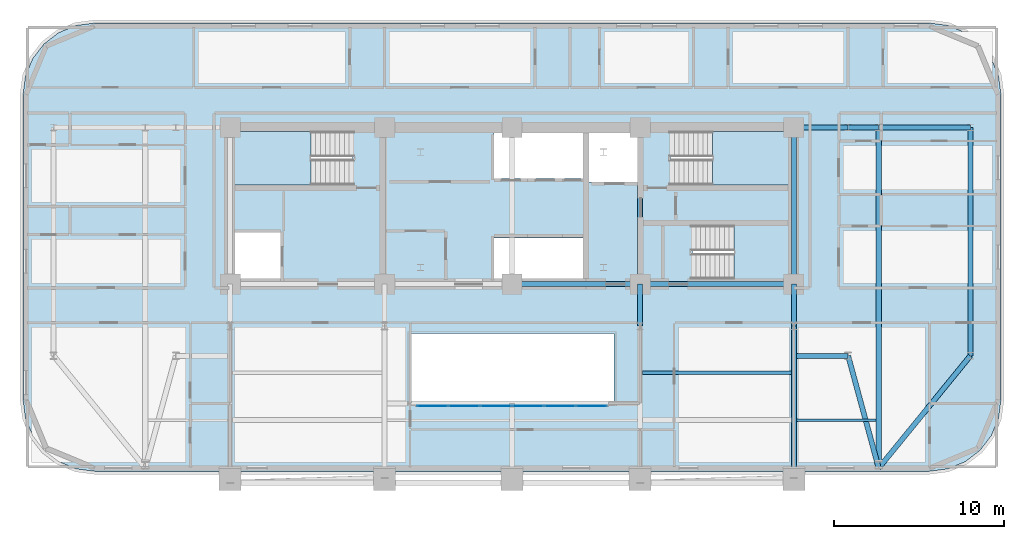
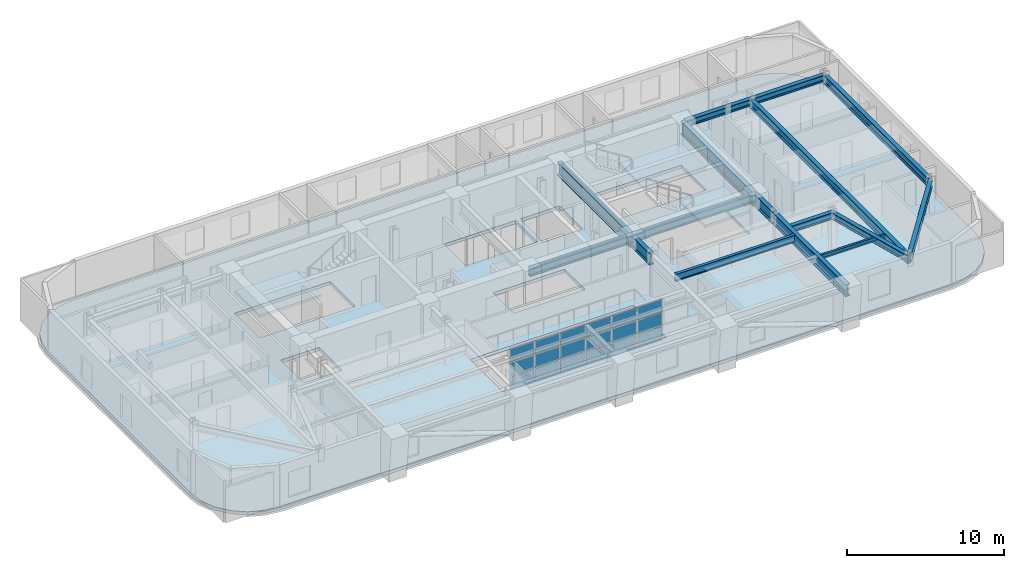
# One storey, part 5 of 14: 18 plates, 17 beams, 4 slabs, 4 elements without a shape of their own.
"""IFC4 building model written with IfcOpenShell, lengths in metres."""

from ifc_helpers import new_model, si_unit, direction, frame, origin, origin_2d, place, context, subcontext, project, spatial, polyline, rectangle, i_section, outline, extrude, material, layer, layer_set, material_profile, profile_set, type_object, element, aggregate, save


model = new_model("IFC4")

# Units and contexts
model_context = context("Model", 3, precision=1e-05, world=origin(), true_north=direction((0.0, 1.0)))
body_context = subcontext(model_context, "Body", "Model", "MODEL_VIEW")
ifc_project = project(units=[si_unit("LENGTHUNIT", "METRE"), si_unit("AREAUNIT", "SQUARE_METRE"), si_unit("VOLUMEUNIT", "CUBIC_METRE"), si_unit("PLANEANGLEUNIT", "RADIAN"), si_unit("MASSUNIT", "GRAM", prefix="KILO")], contexts=[model_context])

# Site, building, storey
site_placement = place(None, origin())
site = spatial("IfcSite", under=ifc_project, at=site_placement, CompositionType="ELEMENT")
building_placement = place(site_placement, origin())
building = spatial("IfcBuilding", under=site, at=building_placement, Name="Zarnavel Station Tower", CompositionType="ELEMENT")
storey_placement = place(building_placement, frame((0.0, 0.0, 108.300048828125)))
storey = spatial("IfcBuildingStorey", under=building, at=storey_placement, Name="L29", CompositionType="ELEMENT", Elevation=108.300048828125)

# Beams
ifc_material_1 = material(Name="Steel S355J2", Category="steel")
ifc_material_profile_1 = material_profile(ifc_material_1, i_section(OverallWidth=0.2099609375, OverallDepth=0.550048828125, WebThickness=0.010986328125, FlangeThickness=0.01708984375, FilletRadius=0.02392578125, at=origin_2d()), Name="IPE550")
ifc_profile_set_1 = profile_set([ifc_material_profile_1], Name="Steel S355J2")
beam_type_1 = type_object("IfcBeamType", Name="FB_IPE550", PredefinedType="BEAM", material=ifc_profile_set_1)
beam_1_placement = place(storey_placement, frame((36.4951171875, 22.606689453125, 2.96484375), z_axis=(1.0, 0.0, 0.0), x_axis=(0.0, 1.0, 0.0)))
element("IfcBeam", 1, at=beam_1_placement, inside=storey, type_object=beam_type_1, Name="L29 East Bay Beam 2", PredefinedType="BEAM", context=body_context, shape_type="SweptSolid", body=[
    extrude(i_section(OverallWidth=0.2099609375, OverallDepth=0.550048828125, WebThickness=0.010986328125, FlangeThickness=0.01708984375, FilletRadius=0.02392578125, at=origin_2d()), origin(), (0.0, 0.0, 1.0), 8.759765625),
])
ifc_material_2 = material(Name="Steel S355J2", Category="steel")
ifc_material_profile_2 = material_profile(ifc_material_2, i_section(OverallWidth=0.300048828125, OverallDepth=0.5, WebThickness=0.014404296875, FlangeThickness=0.028076171875, FilletRadius=0.027099609375, at=origin_2d()), Name="HEB500")
ifc_profile_set_2 = profile_set([ifc_material_profile_2], Name="Steel S355J2")
beam_type_2 = type_object("IfcBeamType", Name="FG_HEB500", PredefinedType="USERDEFINED", material=ifc_profile_set_2)
for number, where, z_axis, x_axis, name in (
    (2, (45.544921875, 23.60009765625, 2.989990234375), (1.0, 0.0, 0.0), (0.0, 1.0, 0.0), "L29 East Wing South Tie 1"),
    (3, (45.544921875, 37.050048828125, 2.989990234375), (1.0, 0.0, 0.0), (0.0, 1.0, 0.0), "L29 East Wing North Tie 1"),
):
    element("IfcBeam", number, at=place(storey_placement, frame(where, z_axis=z_axis, x_axis=x_axis)), inside=storey, type_object=beam_type_2, Name=name, ObjectType="GIRDER", PredefinedType="USERDEFINED", context=body_context, shape_type="SweptSolid", body=[
        extrude(i_section(OverallWidth=0.300048828125, OverallDepth=0.5, WebThickness=0.014404296875, FlangeThickness=0.028076171875, FilletRadius=0.027099609375, at=origin_2d()), origin(), (0.0, 0.0, 1.0), 3.05517578125),
    ])
beam_2_placement = place(storey_placement, frame((48.60009765625, 23.60009765625, 2.989990234375), z_axis=(0.262517735495, -0.964927167485, 0.0), x_axis=(0.964927167485, 0.262517735495, 0.0)))
element("IfcBeam", 4, at=beam_2_placement, inside=storey, type_object=beam_type_2, Name="L29 East Wing South Tie 2", ObjectType="GIRDER", PredefinedType="USERDEFINED", context=body_context, shape_type="SweptSolid", body=[
    extrude(i_section(OverallWidth=0.300048828125, OverallDepth=0.5, WebThickness=0.014404296875, FlangeThickness=0.028076171875, FilletRadius=0.027099609375, at=origin_2d()), origin(), (0.0, 0.0, 1.0), 6.85595703125),
])
beam_3_placement = place(storey_placement, frame((48.60009765625, 37.050048828125, 2.989990234375), z_axis=(1.0, 0.0, 0.0), x_axis=(0.0, 1.0, 0.0)))
element("IfcBeam", 5, at=beam_3_placement, inside=storey, type_object=beam_type_2, Name="L29 East Wing North Tie 2", ObjectType="GIRDER", PredefinedType="USERDEFINED", context=body_context, shape_type="SweptSolid", body=[
    extrude(i_section(OverallWidth=0.300048828125, OverallDepth=0.5, WebThickness=0.014404296875, FlangeThickness=0.028076171875, FilletRadius=0.027099609375, at=origin_2d()), origin(), (0.0, 0.0, 1.0), 1.7998046875),
])
beam_4_placement = place(storey_placement, frame((50.39990234375, 16.984619140625, 2.989990234375), z_axis=(0.63235933352, 0.774675205044, 0.0), x_axis=(-0.774675205044, 0.63235933352, 0.0)))
element("IfcBeam", 6, at=beam_4_placement, inside=storey, type_object=beam_type_2, Name="L29 East Wing South Tie 3", ObjectType="GIRDER", PredefinedType="USERDEFINED", context=body_context, shape_type="SweptSolid", body=[
    extrude(i_section(OverallWidth=0.300048828125, OverallDepth=0.5, WebThickness=0.014404296875, FlangeThickness=0.028076171875, FilletRadius=0.027099609375, at=origin_2d()), origin(), (0.0, 0.0, 1.0), 8.539794921875),
])
beam_5_placement = place(storey_placement, frame((50.39990234375, 37.050048828125, 2.989990234375), z_axis=(1.0, 0.0, 0.0), x_axis=(0.0, 1.0, 0.0)))
element("IfcBeam", 7, at=beam_5_placement, inside=storey, type_object=beam_type_2, Name="L29 East Wing North Tie 3", ObjectType="GIRDER", PredefinedType="USERDEFINED", context=body_context, shape_type="SweptSolid", body=[
    extrude(i_section(OverallWidth=0.300048828125, OverallDepth=0.5, WebThickness=0.014404296875, FlangeThickness=0.028076171875, FilletRadius=0.027099609375, at=origin_2d()), origin(), (0.0, 0.0, 1.0), 5.400146484375),
])
ifc_material_3 = material(Name="Steel S355J2", Category="steel")
ifc_material_profile_3 = material_profile(ifc_material_3, i_section(OverallWidth=0.300048828125, OverallDepth=0.60009765625, WebThickness=0.015380859375, FlangeThickness=0.030029296875, FilletRadius=0.027099609375, at=origin_2d()), Name="HEB600")
ifc_profile_set_3 = profile_set([ifc_material_profile_3], Name="Steel S355J2")
beam_type_3 = type_object("IfcBeamType", Name="FG_HEB600", PredefinedType="USERDEFINED", material=ifc_profile_set_3)
beam_6_placement = place(storey_placement, frame((28.800048828125, 27.820068359375, 2.93994140625), z_axis=(1.0, 0.0, 0.0), x_axis=(0.0, 1.0, 0.0)))
element("IfcBeam", 8, at=beam_6_placement, inside=storey, type_object=beam_type_3, Name="L29 Core Front Coupling Beam 3", ObjectType="GIRDER", PredefinedType="USERDEFINED", context=body_context, shape_type="SweptSolid", body=[
    extrude(i_section(OverallWidth=0.300048828125, OverallDepth=0.60009765625, WebThickness=0.015380859375, FlangeThickness=0.030029296875, FilletRadius=0.027099609375, at=origin_2d()), origin(), (0.0, 0.0, 1.0), 7.550048828125),
])
beam_7_placement = place(storey_placement, frame((36.35009765625, 27.820068359375, 2.93994140625), z_axis=(1.0, 0.0, 0.0), x_axis=(0.0, 1.0, 0.0)))
element("IfcBeam", 9, at=beam_7_placement, inside=storey, type_object=beam_type_3, Name="L29 Core Front Coupling Beam 4", ObjectType="GIRDER", PredefinedType="USERDEFINED", context=body_context, shape_type="SweptSolid", body=[
    extrude(i_section(OverallWidth=0.300048828125, OverallDepth=0.60009765625, WebThickness=0.015380859375, FlangeThickness=0.030029296875, FilletRadius=0.027099609375, at=origin_2d()), origin(), (0.0, 0.0, 1.0), 9.0498046875),
])
ifc_material_4 = material(Name="Steel S355J2", Category="steel")
ifc_material_profile_4 = material_profile(ifc_material_4, i_section(OverallWidth=0.300048828125, OverallDepth=0.64990234375, WebThickness=0.01611328125, FlangeThickness=0.031005859375, FilletRadius=0.027099609375, at=origin_2d()), Name="HEB650")
ifc_profile_set_4 = profile_set([ifc_material_profile_4], Name="Steel S355J2")
beam_type_4 = type_object("IfcBeamType", Name="FG_HEB650", PredefinedType="USERDEFINED", material=ifc_profile_set_4)
beam_8_placement = place(storey_placement, frame((50.39990234375, 16.984619140625, 2.9150390625), z_axis=(0.0, 1.0, 0.0), x_axis=(-1.0, 0.0, 0.0)))
element("IfcBeam", 10, at=beam_8_placement, inside=storey, type_object=beam_type_4, Name="L29 Wing NS Girder 3", ObjectType="GIRDER", PredefinedType="USERDEFINED", context=body_context, shape_type="SweptSolid", body=[
    extrude(i_section(OverallWidth=0.300048828125, OverallDepth=0.64990234375, WebThickness=0.01611328125, FlangeThickness=0.031005859375, FilletRadius=0.027099609375, at=origin_2d()), origin(), (0.0, 0.0, 1.0), 20.0654296875),
])
beam_9_placement = place(storey_placement, frame((55.800048828125, 23.60009765625, 2.9150390625), z_axis=(0.0, 1.0, 0.0), x_axis=(-1.0, 0.0, 0.0)))
element("IfcBeam", 11, at=beam_9_placement, inside=storey, type_object=beam_type_4, Name="L29 Wing NS Girder 4", ObjectType="GIRDER", PredefinedType="USERDEFINED", context=body_context, shape_type="SweptSolid", body=[
    extrude(i_section(OverallWidth=0.300048828125, OverallDepth=0.64990234375, WebThickness=0.01611328125, FlangeThickness=0.031005859375, FilletRadius=0.027099609375, at=origin_2d()), origin(), (0.0, 0.0, 1.0), 13.449951171875),
])
ifc_material_5 = material(Name="Steel S355J2", Category="steel")
ifc_material_profile_5 = material_profile(ifc_material_5, i_section(OverallWidth=0.14990234375, OverallDepth=0.300048828125, WebThickness=0.007080078125, FlangeThickness=0.0107421875, FilletRadius=0.014892578125, at=origin_2d()), Name="IPE300")
ifc_profile_set_5 = profile_set([ifc_material_profile_5], Name="Steel S355J2")
beam_type_5 = type_object("IfcBeamType", Name="FJ_IPE300", PredefinedType="JOIST", material=ifc_profile_set_5)
beam_10_placement = place(storey_placement, frame((45.544921875, 19.8134765625, 3.08984375), z_axis=(1.0, 0.0, 0.0), x_axis=(0.0, 1.0, 0.0)))
element("IfcBeam", 12, at=beam_10_placement, inside=storey, type_object=beam_type_5, Name="L29 East Wing Joist 1", PredefinedType="JOIST", context=body_context, shape_type="SweptSolid", body=[
    extrude(i_section(OverallWidth=0.14990234375, OverallDepth=0.300048828125, WebThickness=0.007080078125, FlangeThickness=0.0107421875, FilletRadius=0.014892578125, at=origin_2d()), origin(), (0.0, 0.0, 1.0), 4.7099609375),
])
ifc_material_6 = material(Name="Steel S460M", Category="steel")
ifc_material_profile_6 = material_profile(ifc_material_6, i_section(OverallWidth=0.302001953125, OverallDepth=1.008056640625, WebThickness=0.02099609375, FlangeThickness=0.0400390625, FilletRadius=0.030029296875, at=origin_2d()), Name="HEM1000")
ifc_profile_set_6 = profile_set([ifc_material_profile_6], Name="Steel S460M")
beam_type_6 = type_object("IfcBeamType", Name="TG_HEM1000", PredefinedType="USERDEFINED", material=ifc_profile_set_6)
for number, where, z_axis, x_axis, name in (
    (13, (36.35009765625, 27.820068359375, 2.73583984375), (0.0, 1.0, 0.0), (-1.0, 0.0, 0.0), "L29 Core Spine Coupling Girder 4"),
    (14, (45.39990234375, 27.820068359375, 2.73583984375), (0.0, 1.0, 0.0), (-1.0, 0.0, 0.0), "L29 Core Spine Coupling Girder 5"),
):
    element("IfcBeam", number, at=place(storey_placement, frame(where, z_axis=z_axis, x_axis=x_axis)), inside=storey, type_object=beam_type_6, Name=name, ObjectType="GIRDER", PredefinedType="USERDEFINED", context=body_context, shape_type="SweptSolid", body=[
        extrude(i_section(OverallWidth=0.302001953125, OverallDepth=1.008056640625, WebThickness=0.02099609375, FlangeThickness=0.0400390625, FilletRadius=0.030029296875, at=origin_2d()), origin(), (0.0, 0.0, 1.0), 9.22998046875),
    ])
ifc_material_7 = material(Name="Steel S460M", Category="steel")
ifc_material_profile_7 = material_profile(ifc_material_7, i_section(OverallWidth=0.302001953125, OverallDepth=0.909912109375, WebThickness=0.02099609375, FlangeThickness=0.0400390625, FilletRadius=0.030029296875, at=origin_2d()), Name="HEM900")
ifc_profile_set_7 = profile_set([ifc_material_profile_7], Name="Steel S460M")
beam_type_7 = type_object("IfcBeamType", Name="TG_HEM900", PredefinedType="USERDEFINED", material=ifc_profile_set_7)
beam_11_placement = place(storey_placement, frame((36.35009765625, 25.35009765625, 2.784912109375), z_axis=(0.0, 1.0, 0.0), x_axis=(-1.0, 0.0, 0.0)))
element("IfcBeam", 15, at=beam_11_placement, inside=storey, type_object=beam_type_7, Name="L29 Inner-Zone NS Girder 4", ObjectType="GIRDER", PredefinedType="USERDEFINED", context=body_context, shape_type="SweptSolid", body=[
    extrude(i_section(OverallWidth=0.302001953125, OverallDepth=0.909912109375, WebThickness=0.02099609375, FlangeThickness=0.0400390625, FilletRadius=0.030029296875, at=origin_2d()), origin(), (0.0, 0.0, 1.0), 2.469970703125),
])
beam_12_placement = place(storey_placement, frame((45.39990234375, 16.1201171875, 2.784912109375), z_axis=(0.0, 1.0, 0.0), x_axis=(-1.0, 0.0, 0.0)))
element("IfcBeam", 16, at=beam_12_placement, inside=storey, type_object=beam_type_7, Name="L29 South-Zone NS Girder 5", ObjectType="GIRDER", PredefinedType="USERDEFINED", context=body_context, shape_type="SweptSolid", body=[
    extrude(i_section(OverallWidth=0.302001953125, OverallDepth=0.909912109375, WebThickness=0.02099609375, FlangeThickness=0.0400390625, FilletRadius=0.030029296875, at=origin_2d()), origin(), (0.0, 0.0, 1.0), 9.22998046875),
])
beam_13_placement = place(storey_placement, frame((45.39990234375, 25.35009765625, 2.784912109375), z_axis=(0.0, 1.0, 0.0), x_axis=(-1.0, 0.0, 0.0)))
element("IfcBeam", 17, at=beam_13_placement, inside=storey, type_object=beam_type_7, Name="L29 Inner-Zone NS Girder 5", ObjectType="GIRDER", PredefinedType="USERDEFINED", context=body_context, shape_type="SweptSolid", body=[
    extrude(i_section(OverallWidth=0.302001953125, OverallDepth=0.909912109375, WebThickness=0.02099609375, FlangeThickness=0.0400390625, FilletRadius=0.030029296875, at=origin_2d()), origin(), (0.0, 0.0, 1.0), 2.469970703125),
])

# Curtain wall, plates
ifc_material_8 = material(Name="Aluminium Dark Anodised and Solar-Control Glass", Category="aluminium")
ifc_layer_1 = layer(ifc_material_8, 0.179931640625)
ifc_layer_set_1 = layer_set([ifc_layer_1], Name="CWS3")
curtain_wall_type = type_object("IfcCurtainWallType", Name="CWS3", PredefinedType="NOTDEFINED", material=ifc_layer_set_1)
curtain_wall_placement = place(storey_placement, origin())
curtain_wall = element("IfcCurtainWall", 18, at=curtain_wall_placement, inside=storey, type_object=curtain_wall_type, Name="L29 Curtain Wall CWS3-L29-AS", PredefinedType="NOTDEFINED")
ifc_material_9 = material(Name="Double Low-E Dark Solar-Control Glass", Category="glass")
ifc_layer_2 = layer(ifc_material_9, 0.030029296875)
ifc_layer_set_2 = layer_set([ifc_layer_2], Name="CWS3_PNL")
plate_type = type_object("IfcPlateType", Name="CWS3_PNL", PredefinedType="CURTAIN_PANEL", material=ifc_layer_set_2)
plate_1_placement = place(storey_placement, frame((24.106689453125, 20.64990234375, 0.06005859375), z_axis=(0.0, 0.0, 1.0), x_axis=(1.0, 0.0, 0.0)))
plate_1 = element("IfcPlate", 19, at=plate_1_placement, type_object=plate_type, Name="CW3 panel 1.1", PredefinedType="CURTAIN_PANEL", context=body_context, shape_type="SweptSolid", body=[
    extrude(rectangle(XDim=1.793212890625, YDim=0.028076171875, at=origin_2d()), origin(), (0.0, 0.0, 1.0), 0.989990234375),
])
plate_2_placement = place(storey_placement, frame((24.106689453125, 20.64990234375, 1.10986328125), z_axis=(0.0, 0.0, 1.0), x_axis=(1.0, 0.0, 0.0)))
plate_2 = element("IfcPlate", 20, at=plate_2_placement, type_object=plate_type, Name="CW3 panel 1.2", PredefinedType="CURTAIN_PANEL", context=body_context, shape_type="SweptSolid", body=[
    extrude(rectangle(XDim=1.793212890625, YDim=0.028076171875, at=origin_2d()), origin(), (0.0, 0.0, 1.0), 1.02001953125),
])
plate_3_placement = place(storey_placement, frame((24.106689453125, 20.64990234375, 2.18994140625), z_axis=(0.0, 0.0, 1.0), x_axis=(1.0, 0.0, 0.0)))
plate_3 = element("IfcPlate", 21, at=plate_3_placement, type_object=plate_type, Name="CW3 panel 1.3", PredefinedType="CURTAIN_PANEL", context=body_context, shape_type="SweptSolid", body=[
    extrude(rectangle(XDim=1.793212890625, YDim=0.028076171875, at=origin_2d()), origin(), (0.0, 0.0, 1.0), 0.989990234375),
])
plate_4_placement = place(storey_placement, frame((25.97509765625, 20.64990234375, 0.06005859375), z_axis=(0.0, 0.0, 1.0), x_axis=(1.0, 0.0, 0.0)))
plate_4 = element("IfcPlate", 22, at=plate_4_placement, type_object=plate_type, Name="CW3 panel 2.1", PredefinedType="CURTAIN_PANEL", context=body_context, shape_type="SweptSolid", body=[
    extrude(rectangle(XDim=1.8232421875, YDim=0.028076171875, at=origin_2d()), origin(), (0.0, 0.0, 1.0), 0.989990234375),
])
plate_5_placement = place(storey_placement, frame((25.97509765625, 20.64990234375, 1.10986328125), z_axis=(0.0, 0.0, 1.0), x_axis=(1.0, 0.0, 0.0)))
plate_5 = element("IfcPlate", 23, at=plate_5_placement, type_object=plate_type, Name="CW3 panel 2.2", PredefinedType="CURTAIN_PANEL", context=body_context, shape_type="SweptSolid", body=[
    extrude(rectangle(XDim=1.8232421875, YDim=0.028076171875, at=origin_2d()), origin(), (0.0, 0.0, 1.0), 1.02001953125),
])
plate_6_placement = place(storey_placement, frame((25.97509765625, 20.64990234375, 2.18994140625), z_axis=(0.0, 0.0, 1.0), x_axis=(1.0, 0.0, 0.0)))
plate_6 = element("IfcPlate", 24, at=plate_6_placement, type_object=plate_type, Name="CW3 panel 2.3", PredefinedType="CURTAIN_PANEL", context=body_context, shape_type="SweptSolid", body=[
    extrude(rectangle(XDim=1.8232421875, YDim=0.028076171875, at=origin_2d()), origin(), (0.0, 0.0, 1.0), 0.989990234375),
])
plate_7_placement = place(storey_placement, frame((27.8583984375, 20.64990234375, 0.06005859375), z_axis=(0.0, 0.0, 1.0), x_axis=(1.0, 0.0, 0.0)))
plate_7 = element("IfcPlate", 25, at=plate_7_placement, type_object=plate_type, Name="CW3 panel 3.1", PredefinedType="CURTAIN_PANEL", context=body_context, shape_type="SweptSolid", body=[
    extrude(rectangle(XDim=1.8232421875, YDim=0.028076171875, at=origin_2d()), origin(), (0.0, 0.0, 1.0), 0.989990234375),
])
plate_8_placement = place(storey_placement, frame((27.8583984375, 20.64990234375, 1.10986328125), z_axis=(0.0, 0.0, 1.0), x_axis=(1.0, 0.0, 0.0)))
plate_8 = element("IfcPlate", 26, at=plate_8_placement, type_object=plate_type, Name="CW3 panel 3.2", PredefinedType="CURTAIN_PANEL", context=body_context, shape_type="SweptSolid", body=[
    extrude(rectangle(XDim=1.8232421875, YDim=0.028076171875, at=origin_2d()), origin(), (0.0, 0.0, 1.0), 1.02001953125),
])
plate_9_placement = place(storey_placement, frame((27.8583984375, 20.64990234375, 2.18994140625), z_axis=(0.0, 0.0, 1.0), x_axis=(1.0, 0.0, 0.0)))
plate_9 = element("IfcPlate", 27, at=plate_9_placement, type_object=plate_type, Name="CW3 panel 3.3", PredefinedType="CURTAIN_PANEL", context=body_context, shape_type="SweptSolid", body=[
    extrude(rectangle(XDim=1.8232421875, YDim=0.028076171875, at=origin_2d()), origin(), (0.0, 0.0, 1.0), 0.989990234375),
])
plate_10_placement = place(storey_placement, frame((29.74169921875, 20.64990234375, 0.06005859375), z_axis=(0.0, 0.0, 1.0), x_axis=(1.0, 0.0, 0.0)))
plate_10 = element("IfcPlate", 28, at=plate_10_placement, type_object=plate_type, Name="CW3 panel 4.1", PredefinedType="CURTAIN_PANEL", context=body_context, shape_type="SweptSolid", body=[
    extrude(rectangle(XDim=1.8232421875, YDim=0.028076171875, at=origin_2d()), origin(), (0.0, 0.0, 1.0), 0.989990234375),
])
plate_11_placement = place(storey_placement, frame((29.74169921875, 20.64990234375, 1.10986328125), z_axis=(0.0, 0.0, 1.0), x_axis=(1.0, 0.0, 0.0)))
plate_11 = element("IfcPlate", 29, at=plate_11_placement, type_object=plate_type, Name="CW3 panel 4.2", PredefinedType="CURTAIN_PANEL", context=body_context, shape_type="SweptSolid", body=[
    extrude(rectangle(XDim=1.8232421875, YDim=0.028076171875, at=origin_2d()), origin(), (0.0, 0.0, 1.0), 1.02001953125),
])
plate_12_placement = place(storey_placement, frame((29.74169921875, 20.64990234375, 2.18994140625), z_axis=(0.0, 0.0, 1.0), x_axis=(1.0, 0.0, 0.0)))
plate_12 = element("IfcPlate", 30, at=plate_12_placement, type_object=plate_type, Name="CW3 panel 4.3", PredefinedType="CURTAIN_PANEL", context=body_context, shape_type="SweptSolid", body=[
    extrude(rectangle(XDim=1.8232421875, YDim=0.028076171875, at=origin_2d()), origin(), (0.0, 0.0, 1.0), 0.989990234375),
])
plate_13_placement = place(storey_placement, frame((31.625, 20.64990234375, 0.06005859375), z_axis=(0.0, 0.0, 1.0), x_axis=(1.0, 0.0, 0.0)))
plate_13 = element("IfcPlate", 31, at=plate_13_placement, type_object=plate_type, Name="CW3 panel 5.1", PredefinedType="CURTAIN_PANEL", context=body_context, shape_type="SweptSolid", body=[
    extrude(rectangle(XDim=1.8232421875, YDim=0.028076171875, at=origin_2d()), origin(), (0.0, 0.0, 1.0), 0.989990234375),
])
plate_14_placement = place(storey_placement, frame((31.625, 20.64990234375, 1.10986328125), z_axis=(0.0, 0.0, 1.0), x_axis=(1.0, 0.0, 0.0)))
plate_14 = element("IfcPlate", 32, at=plate_14_placement, type_object=plate_type, Name="CW3 panel 5.2", PredefinedType="CURTAIN_PANEL", context=body_context, shape_type="SweptSolid", body=[
    extrude(rectangle(XDim=1.8232421875, YDim=0.028076171875, at=origin_2d()), origin(), (0.0, 0.0, 1.0), 1.02001953125),
])
plate_15_placement = place(storey_placement, frame((31.625, 20.64990234375, 2.18994140625), z_axis=(0.0, 0.0, 1.0), x_axis=(1.0, 0.0, 0.0)))
plate_15 = element("IfcPlate", 33, at=plate_15_placement, type_object=plate_type, Name="CW3 panel 5.3", PredefinedType="CURTAIN_PANEL", context=body_context, shape_type="SweptSolid", body=[
    extrude(rectangle(XDim=1.8232421875, YDim=0.028076171875, at=origin_2d()), origin(), (0.0, 0.0, 1.0), 0.989990234375),
])
plate_16_placement = place(storey_placement, frame((33.493408203125, 20.64990234375, 0.06005859375), z_axis=(0.0, 0.0, 1.0), x_axis=(1.0, 0.0, 0.0)))
plate_16 = element("IfcPlate", 34, at=plate_16_placement, type_object=plate_type, Name="CW3 panel 6.1", PredefinedType="CURTAIN_PANEL", context=body_context, shape_type="SweptSolid", body=[
    extrude(rectangle(XDim=1.793212890625, YDim=0.028076171875, at=origin_2d()), origin(), (0.0, 0.0, 1.0), 0.989990234375),
])
plate_17_placement = place(storey_placement, frame((33.493408203125, 20.64990234375, 1.10986328125), z_axis=(0.0, 0.0, 1.0), x_axis=(1.0, 0.0, 0.0)))
plate_17 = element("IfcPlate", 35, at=plate_17_placement, type_object=plate_type, Name="CW3 panel 6.2", PredefinedType="CURTAIN_PANEL", context=body_context, shape_type="SweptSolid", body=[
    extrude(rectangle(XDim=1.793212890625, YDim=0.028076171875, at=origin_2d()), origin(), (0.0, 0.0, 1.0), 1.02001953125),
])
plate_18_placement = place(storey_placement, frame((33.493408203125, 20.64990234375, 2.18994140625), z_axis=(0.0, 0.0, 1.0), x_axis=(1.0, 0.0, 0.0)))
plate_18 = element("IfcPlate", 36, at=plate_18_placement, type_object=plate_type, Name="CW3 panel 6.3", PredefinedType="CURTAIN_PANEL", context=body_context, shape_type="SweptSolid", body=[
    extrude(rectangle(XDim=1.793212890625, YDim=0.028076171875, at=origin_2d()), origin(), (0.0, 0.0, 1.0), 0.989990234375),
])
aggregate(curtain_wall, [plate_1, plate_2, plate_3, plate_4, plate_5, plate_6, plate_7, plate_8, plate_9, plate_10, plate_11, plate_12, plate_13, plate_14, plate_15, plate_16, plate_17, plate_18])

# Slab
ifc_material_10 = material(Name="Concrete C45/55", Category="concrete")
ifc_layer_3 = layer(ifc_material_10, 0.260009765625)
ifc_layer_set_3 = layer_set([ifc_layer_3], Name="SL_FLR_260")
slab_type_1 = type_object("IfcSlabType", Name="SL_FLR_260", PredefinedType="FLOOR", material=ifc_layer_set_3)
slab_1_placement = place(storey_placement, frame((0.0, 0.0, -0.260009765625)))
element("IfcSlab", 37, at=slab_1_placement, inside=storey, type_object=slab_type_1, Name="L29 Structural Floor Slab", PredefinedType="FLOOR", context=body_context, shape_type="SweptSolid", body=[
    extrude(outline(polyline([(53.39990234375, 16.800048828125), (54.487060546875, 16.943115234375), (55.5, 17.36279296875), (56.369873046875, 18.0302734375), (57.037353515625, 18.89990234375), (57.456787109375, 19.9130859375), (57.60009765625, 21.0), (57.60009765625, 39.0), (57.456787109375, 40.0869140625), (57.037353515625, 41.10009765625), (56.369873046875, 41.9697265625), (55.5, 42.63720703125), (54.487060546875, 43.056884765625), (53.39990234375, 43.199951171875), (4.199951171875, 43.199951171875), (3.113037109375, 43.056884765625), (2.10009765625, 42.63720703125), (1.230224609375, 41.9697265625), (0.562744140625, 41.10009765625), (0.14306640625, 40.0869140625), (0.0, 39.0), (0.0, 21.0), (0.14306640625, 19.9130859375), (0.562744140625, 18.89990234375), (1.230224609375, 18.0302734375), (2.10009765625, 17.36279296875), (3.113037109375, 16.943115234375), (4.199951171875, 16.800048828125), (53.39990234375, 16.800048828125)]), holes=[polyline([(12.39990234375, 33.659912109375), (19.409912109375, 33.659912109375), (19.409912109375, 36.820068359375), (12.39990234375, 36.820068359375), (12.39990234375, 33.659912109375)]), polyline([(38.14990234375, 33.659912109375), (45.159912109375, 33.659912109375), (45.159912109375, 36.820068359375), (38.14990234375, 36.820068359375), (38.14990234375, 33.659912109375)]), polyline([(39.419921875, 28.1201171875), (45.14990234375, 28.1201171875), (45.14990234375, 31.280029296875), (39.419921875, 31.280029296875), (39.419921875, 28.1201171875)]), polyline([(12.35009765625, 27.949951171875), (15.14990234375, 27.949951171875), (15.14990234375, 30.85009765625), (12.35009765625, 30.85009765625), (12.35009765625, 27.949951171875)]), polyline([(33.320068359375, 33.85009765625), (36.2099609375, 33.85009765625), (36.2099609375, 36.780029296875), (33.320068359375, 36.780029296875), (33.320068359375, 33.85009765625)]), polyline([(27.75, 34.050048828125), (32.97998046875, 34.050048828125), (32.97998046875, 36.780029296875), (27.75, 36.780029296875), (27.75, 34.050048828125)]), polyline([(27.75, 27.949951171875), (32.97998046875, 27.949951171875), (32.97998046875, 30.550048828125), (27.75, 30.550048828125), (27.75, 27.949951171875)]), polyline([(22.800048828125, 20.800048828125), (34.800048828125, 20.800048828125), (34.800048828125, 24.89990234375), (22.800048828125, 24.89990234375), (22.800048828125, 20.800048828125)])]), origin(), (0.0, 0.0, 1.0), 0.260009765625),
])

# Stair, slab
ifc_material_11 = material(Name="Concrete C45/55", Category="concrete")
stair_type = type_object("IfcStairType", Name="ST_CORE_150", PredefinedType="HALF_TURN_STAIR", material=ifc_material_11)
stair_1_placement = place(storey_placement, origin())
stair_1 = element("IfcStair", 38, at=stair_1_placement, inside=storey, type_object=stair_type, Name="L29 Core Exit Stair ST1", PredefinedType="HALF_TURN_STAIR")
ifc_material_12 = material(Name="Concrete C45/55", Category="concrete")
ifc_layer_4 = layer(ifc_material_12, 0.199951171875)
ifc_layer_set_4 = layer_set([ifc_layer_4], Name="SL_STAIR_LAND_200")
slab_type_2 = type_object("IfcSlabType", Name="SL_STAIR_LAND_200", PredefinedType="LANDING", material=ifc_layer_set_4)
slab_2_placement = place(storey_placement, frame((0.0, 0.0, 1.550048828125)))
slab_2 = element("IfcSlab", 39, at=slab_2_placement, type_object=slab_type_2, Name="ST1 landing 1", PredefinedType="LANDING", context=body_context, shape_type="SweptSolid", body=[
    extrude(outline(polyline([(16.9599609375, 36.820068359375), (12.39990234375, 36.820068359375), (12.39990234375, 33.659912109375), (16.9599609375, 33.659912109375), (16.9599609375, 36.820068359375)])), origin(), (0.0, 0.0, 1.0), 0.199951171875),
])
aggregate(stair_1, [slab_2])

stair_2_placement = place(storey_placement, origin())
stair_2 = element("IfcStair", 40, at=stair_2_placement, inside=storey, type_object=stair_type, Name="L29 Core Exit Stair ST2", PredefinedType="HALF_TURN_STAIR")
slab_3_placement = place(storey_placement, frame((0.0, 0.0, 1.550048828125)))
slab_3 = element("IfcSlab", 41, at=slab_3_placement, type_object=slab_type_2, Name="ST2 landing 1", PredefinedType="LANDING", context=body_context, shape_type="SweptSolid", body=[
    extrude(outline(polyline([(40.60009765625, 33.659912109375), (45.159912109375, 33.659912109375), (45.159912109375, 36.820068359375), (40.60009765625, 36.820068359375), (40.60009765625, 33.659912109375)])), origin(), (0.0, 0.0, 1.0), 0.199951171875),
])
aggregate(stair_2, [slab_3])

stair_3_placement = place(storey_placement, origin())
stair_3 = element("IfcStair", 42, at=stair_3_placement, inside=storey, type_object=stair_type, Name="L29 Core Exit Stair ST3", PredefinedType="HALF_TURN_STAIR")
slab_4_placement = place(storey_placement, frame((0.0, 0.0, 1.550048828125)))
slab_4 = element("IfcSlab", 43, at=slab_4_placement, type_object=slab_type_2, Name="ST3 landing 1", PredefinedType="LANDING", context=body_context, shape_type="SweptSolid", body=[
    extrude(outline(polyline([(41.8701171875, 28.1201171875), (45.14990234375, 28.1201171875), (45.14990234375, 31.280029296875), (41.8701171875, 31.280029296875), (41.8701171875, 28.1201171875)])), origin(), (0.0, 0.0, 1.0), 0.199951171875),
])
aggregate(stair_3, [slab_4])

save(model, "model.ifc")
